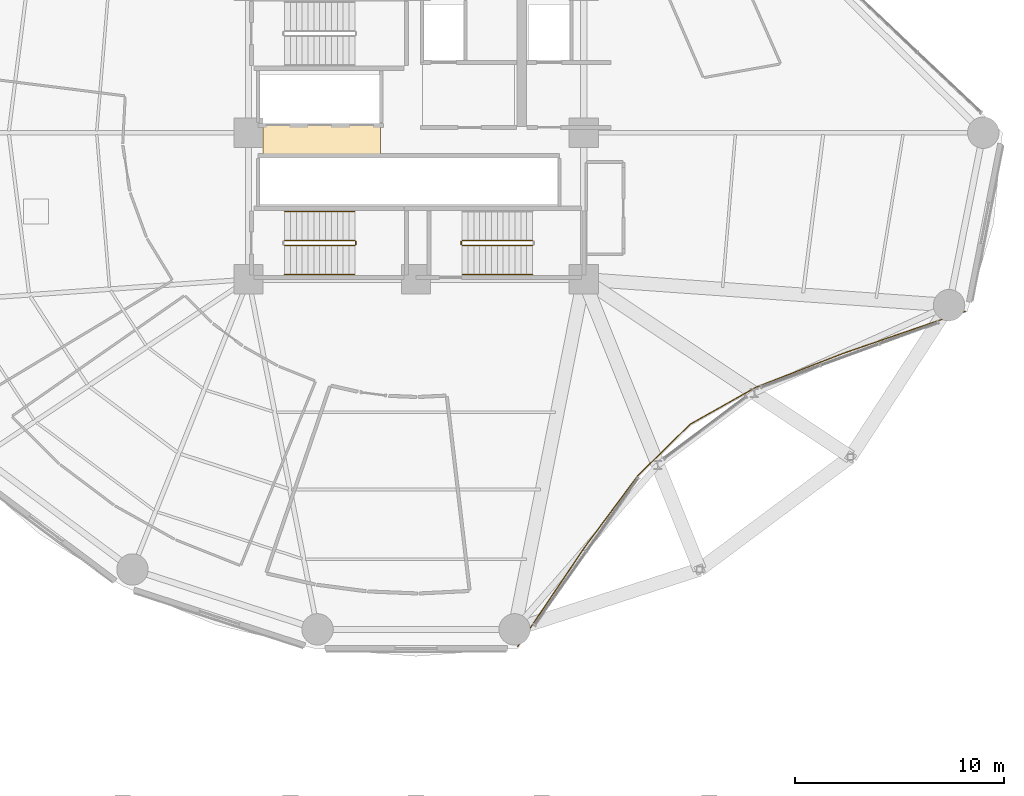
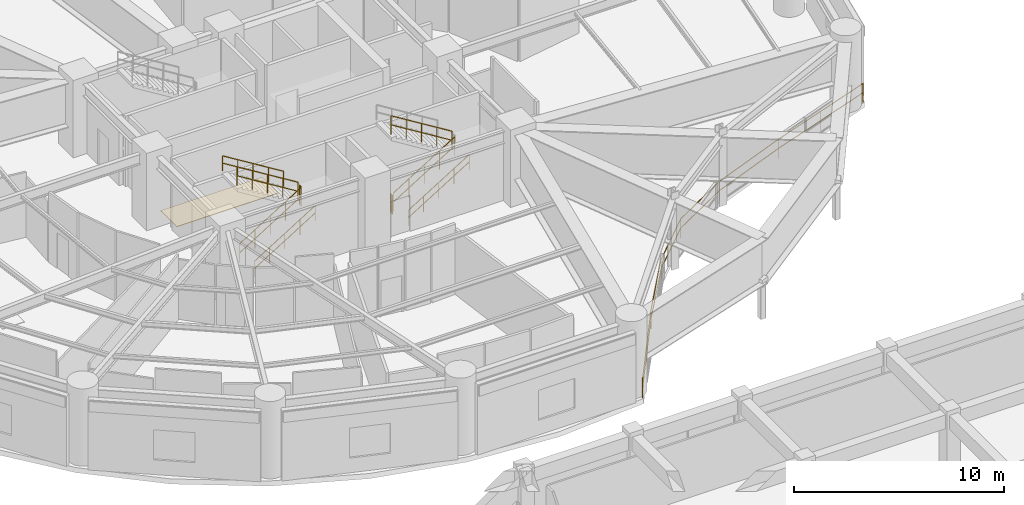
# One storey, part 50 of 53: 10 railings, 1 covering.
"""IFC4 building model written with IfcOpenShell, lengths in metres."""

from ifc_helpers import new_model, si_unit, direction, frame, origin, origin_2d, place, context, subcontext, project, spatial, polyline, rectangle, outline, extrude, source, transform, mapped, material, layer, layer_set, type_object, element, save


model = new_model("IFC4")

# Units and contexts
model_context = context("Model", 3, precision=1e-05, world=origin(), true_north=direction((0.0, 1.0)))
body_context = subcontext(model_context, "Body", "Model", "MODEL_VIEW")
ifc_project = project(units=[si_unit("LENGTHUNIT", "METRE"), si_unit("AREAUNIT", "SQUARE_METRE"), si_unit("VOLUMEUNIT", "CUBIC_METRE"), si_unit("PLANEANGLEUNIT", "RADIAN"), si_unit("MASSUNIT", "GRAM", prefix="KILO")], contexts=[model_context])

# Site, building, storey
site_placement = place(None, origin())
site = spatial("IfcSite", under=ifc_project, at=site_placement, CompositionType="ELEMENT")
building_placement = place(site_placement, origin())
building = spatial("IfcBuilding", under=site, at=building_placement, Name="Kelanora Arch Commons", CompositionType="ELEMENT")
storey_placement = place(building_placement, frame((0.0, 0.0, 9.0)))
storey = spatial("IfcBuildingStorey", under=building, at=storey_placement, Name="L02", CompositionType="ELEMENT", Elevation=9.0)

# Railings
ifc_material_1 = material(Name="Laminated glass and stainless steel balustrade", Category="steel")
railing_type_1 = type_object("IfcRailingType", Name="RAIL-BAL-112", PredefinedType="BALUSTRADE", material=ifc_material_1)
railing_1_placement = place(storey_placement, frame((78.8466796875, 33.458251953125, 0.0)))
element("IfcRailing", 1, at=railing_1_placement, inside=storey, type_object=railing_type_1, Name="Concave Courtyard Overlook Balustrade L02-SE", PredefinedType="BALUSTRADE", context=body_context, shape_type="SweptSolid", body=[
    extrude(outline(polyline([(0.02392578125, 0.0), (0.011962890625, 0.020751953125), (-0.011962890625, 0.020751953125), (-0.02392578125, 0.0), (-0.011962890625, -0.020751953125), (0.011962890625, -0.020751953125), (0.02392578125, 0.0)])), frame((0.0, 0.0, 1.09619140625), z_axis=(0.559131486201, 0.829078995716, 0.0), x_axis=(-0.829078995716, 0.559131486201, 0.0)), (0.0, 0.0, 1.0), 5.749267578125),
    extrude(outline(polyline([(0.02392578125, 0.0), (0.011962890625, 0.020751953125), (-0.011962890625, 0.020751953125), (-0.02392578125, 0.0), (-0.011962890625, -0.020751953125), (0.011962890625, -0.020751953125), (0.02392578125, 0.0)])), frame((0.0, 0.0, 0.56005859375), z_axis=(0.559131486201, 0.829078995716, 0.0), x_axis=(-0.829078995716, 0.559131486201, 0.0)), (0.0, 0.0, 1.0), 5.749267578125),
    extrude(outline(polyline([(0.02392578125, 0.0), (0.011962890625, 0.020751953125), (-0.011962890625, 0.020751953125), (-0.02392578125, 0.0), (-0.011962890625, -0.020751953125), (0.011962890625, -0.020751953125), (0.02392578125, 0.0)])), frame((3.214599609375, 4.7666015625, 1.09619140625), z_axis=(0.596176535715, 0.802853372829, 0.0), x_axis=(-0.802853372829, 0.596176535715, 0.0)), (0.0, 0.0, 1.0), 4.2373046875),
    extrude(outline(polyline([(0.02392578125, 0.0), (0.011962890625, 0.020751953125), (-0.011962890625, 0.020751953125), (-0.02392578125, 0.0), (-0.011962890625, -0.020751953125), (0.011962890625, -0.020751953125), (0.02392578125, 0.0)])), frame((3.214599609375, 4.7666015625, 0.56005859375), z_axis=(0.596176535715, 0.802853372829, 0.0), x_axis=(-0.802853372829, 0.596176535715, 0.0)), (0.0, 0.0, 1.0), 4.2373046875),
    extrude(outline(polyline([(0.02392578125, 0.0), (0.011962890625, 0.020751953125), (-0.011962890625, 0.020751953125), (-0.02392578125, 0.0), (-0.011962890625, -0.020751953125), (0.011962890625, -0.020751953125), (0.02392578125, 0.0)])), frame((5.74072265625, 8.16845703125, 1.09619140625), z_axis=(0.713532255383, 0.700622380836, 0.0), x_axis=(-0.700622380836, 0.713532255383, 0.0)), (0.0, 0.0, 1.0), 3.49853515625),
    extrude(outline(polyline([(0.02392578125, 0.0), (0.011962890625, 0.020751953125), (-0.011962890625, 0.020751953125), (-0.02392578125, 0.0), (-0.011962890625, -0.020751953125), (0.011962890625, -0.020751953125), (0.02392578125, 0.0)])), frame((5.74072265625, 8.16845703125, 0.56005859375), z_axis=(0.713532255383, 0.700622380836, 0.0), x_axis=(-0.700622380836, 0.713532255383, 0.0)), (0.0, 0.0, 1.0), 3.49853515625),
    extrude(outline(polyline([(0.02392578125, 0.0), (0.011962890625, 0.020751953125), (-0.011962890625, 0.020751953125), (-0.02392578125, 0.0), (-0.011962890625, -0.020751953125), (0.011962890625, -0.020751953125), (0.02392578125, 0.0)])), frame((8.237060546875, 10.61962890625, 1.09619140625), z_axis=(0.871394516136, 0.490582915772, 0.0), x_axis=(-0.490582915772, 0.871394516136, 0.0)), (0.0, 0.0, 1.0), 3.60302734375),
    extrude(outline(polyline([(0.02392578125, 0.0), (0.011962890625, 0.020751953125), (-0.011962890625, 0.020751953125), (-0.02392578125, 0.0), (-0.011962890625, -0.020751953125), (0.011962890625, -0.020751953125), (0.02392578125, 0.0)])), frame((8.237060546875, 10.61962890625, 0.56005859375), z_axis=(0.871394516136, 0.490582915772, 0.0), x_axis=(-0.490582915772, 0.871394516136, 0.0)), (0.0, 0.0, 1.0), 3.60302734375),
    extrude(outline(polyline([(0.02392578125, 0.0), (0.011962890625, 0.020751953125), (-0.011962890625, 0.020751953125), (-0.02392578125, 0.0), (-0.011962890625, -0.020751953125), (0.011962890625, -0.020751953125), (0.02392578125, 0.0)])), frame((11.376708984375, 12.38720703125, 1.09619140625), z_axis=(0.932102395452, 0.362194870744, 0.0), x_axis=(-0.362194870744, 0.932102395452, 0.0)), (0.0, 0.0, 1.0), 4.499267578125),
    extrude(outline(polyline([(0.02392578125, 0.0), (0.011962890625, 0.020751953125), (-0.011962890625, 0.020751953125), (-0.02392578125, 0.0), (-0.011962890625, -0.020751953125), (0.011962890625, -0.020751953125), (0.02392578125, 0.0)])), frame((11.376708984375, 12.38720703125, 0.56005859375), z_axis=(0.932102395452, 0.362194870744, 0.0), x_axis=(-0.362194870744, 0.932102395452, 0.0)), (0.0, 0.0, 1.0), 4.499267578125),
    extrude(outline(polyline([(0.02392578125, 0.0), (0.011962890625, 0.020751953125), (-0.011962890625, 0.020751953125), (-0.02392578125, 0.0), (-0.011962890625, -0.020751953125), (0.011962890625, -0.020751953125), (0.02392578125, 0.0)])), frame((15.570556640625, 14.016845703125, 1.09619140625), z_axis=(0.945734245853, 0.324941127315, 0.0), x_axis=(-0.324941127315, 0.945734245853, 0.0)), (0.0, 0.0, 1.0), 6.15185546875),
    extrude(outline(polyline([(0.02392578125, 0.0), (0.011962890625, 0.020751953125), (-0.011962890625, 0.020751953125), (-0.02392578125, 0.0), (-0.011962890625, -0.020751953125), (0.011962890625, -0.020751953125), (0.02392578125, 0.0)])), frame((15.570556640625, 14.016845703125, 0.56005859375), z_axis=(0.945734245853, 0.324941127315, 0.0), x_axis=(-0.324941127315, 0.945734245853, 0.0)), (0.0, 0.0, 1.0), 6.15185546875),
    extrude(outline(polyline([(0.02099609375, 0.0), (0.010498046875, 0.01806640625), (-0.010498046875, 0.01806640625), (-0.02099609375, 0.0), (-0.010498046875, -0.01806640625), (0.010498046875, -0.01806640625), (0.02099609375, 0.0)])), origin(), (0.0, 0.0, 1.0), 1.072021484375),
    extrude(outline(polyline([(0.02099609375, 0.0), (0.010498046875, 0.01806640625), (-0.010498046875, 0.01806640625), (-0.02099609375, 0.0), (-0.010498046875, -0.01806640625), (0.010498046875, -0.01806640625), (0.02099609375, 0.0)])), frame((1.607421875, 2.38330078125, 0.0)), (0.0, 0.0, 1.0), 1.072021484375),
    extrude(outline(polyline([(0.02099609375, 0.0), (0.010498046875, 0.01806640625), (-0.010498046875, 0.01806640625), (-0.02099609375, 0.0), (-0.010498046875, -0.01806640625), (0.010498046875, -0.01806640625), (0.02099609375, 0.0)])), frame((3.214599609375, 4.7666015625, 0.0)), (0.0, 0.0, 1.0), 1.072021484375),
    extrude(outline(polyline([(0.02099609375, 0.0), (0.010498046875, 0.01806640625), (-0.010498046875, 0.01806640625), (-0.02099609375, 0.0), (-0.010498046875, -0.01806640625), (0.010498046875, -0.01806640625), (0.02099609375, 0.0)])), frame((5.74072265625, 8.16845703125, 0.0)), (0.0, 0.0, 1.0), 1.072021484375),
    extrude(outline(polyline([(0.02099609375, 0.0), (0.010498046875, 0.01806640625), (-0.010498046875, 0.01806640625), (-0.02099609375, 0.0), (-0.010498046875, -0.01806640625), (0.010498046875, -0.01806640625), (0.02099609375, 0.0)])), frame((8.237060546875, 10.61962890625, 0.0)), (0.0, 0.0, 1.0), 1.072021484375),
    extrude(outline(polyline([(0.02099609375, 0.0), (0.010498046875, 0.01806640625), (-0.010498046875, 0.01806640625), (-0.02099609375, 0.0), (-0.010498046875, -0.01806640625), (0.010498046875, -0.01806640625), (0.02099609375, 0.0)])), frame((11.376708984375, 12.38720703125, 0.0)), (0.0, 0.0, 1.0), 1.072021484375),
    extrude(outline(polyline([(0.02099609375, 0.0), (0.010498046875, 0.01806640625), (-0.010498046875, 0.01806640625), (-0.02099609375, 0.0), (-0.010498046875, -0.01806640625), (0.010498046875, -0.01806640625), (0.02099609375, 0.0)])), frame((15.570556640625, 14.016845703125, 0.0)), (0.0, 0.0, 1.0), 1.072021484375),
    extrude(outline(polyline([(0.02099609375, 0.0), (0.010498046875, 0.01806640625), (-0.010498046875, 0.01806640625), (-0.02099609375, 0.0), (-0.010498046875, -0.01806640625), (0.010498046875, -0.01806640625), (0.02099609375, 0.0)])), frame((18.4794921875, 15.016357421875, 0.0)), (0.0, 0.0, 1.0), 1.072021484375),
    extrude(outline(polyline([(0.02099609375, 0.0), (0.010498046875, 0.01806640625), (-0.010498046875, 0.01806640625), (-0.02099609375, 0.0), (-0.010498046875, -0.01806640625), (0.010498046875, -0.01806640625), (0.02099609375, 0.0)])), frame((21.388671875, 16.015869140625, 0.0)), (0.0, 0.0, 1.0), 1.072021484375),
])
ifc_material_2 = material(Name="Painted steel stair well guard", Category="steel")
railing_type_2 = type_object("IfcRailingType", Name="RAIL-STAIR-GRD", PredefinedType="GUARDRAIL", material=ifc_material_2)
railing_2_placement = place(storey_placement, frame((76.199951171875, 52.610107421875, 0.173095703125)))
element("IfcRailing", 2, at=railing_2_placement, inside=storey, type_object=railing_type_2, Name="L02 ST-T2 stair guard 1", PredefinedType="GUARDRAIL", context=body_context, shape_type="SweptSolid", body=[
    extrude(outline(polyline([(0.02392578125, 0.0), (0.011962890625, 0.020751953125), (-0.011962890625, 0.020751953125), (-0.02392578125, 0.0), (-0.011962890625, -0.020751953125), (0.011962890625, -0.020751953125), (0.02392578125, 0.0)])), frame((0.0, 0.0, 1.076171875), z_axis=(0.850623216509, 0.0, 0.525775754039), x_axis=(0.0, 1.0, 0.0)), (0.0, 0.0, 1.0), 3.9501953125),
    extrude(outline(polyline([(0.02392578125, 0.0), (0.011962890625, 0.020751953125), (-0.011962890625, 0.020751953125), (-0.02392578125, 0.0), (-0.011962890625, -0.020751953125), (0.011962890625, -0.020751953125), (0.02392578125, 0.0)])), frame((0.0, 0.0, 0.550048828125), z_axis=(0.850623216509, 0.0, 0.525775754039), x_axis=(0.0, 1.0, 0.0)), (0.0, 0.0, 1.0), 3.9501953125),
    extrude(outline(polyline([(0.02099609375, 0.0), (0.010498046875, 0.01806640625), (-0.010498046875, 0.01806640625), (-0.02099609375, 0.0), (-0.010498046875, -0.01806640625), (0.010498046875, -0.01806640625), (0.02099609375, 0.0)])), origin(), (0.0, 0.0, 1.0), 1.052001953125),
    extrude(outline(polyline([(0.02099609375, 0.0), (0.010498046875, 0.01806640625), (-0.010498046875, 0.01806640625), (-0.02099609375, 0.0), (-0.010498046875, -0.01806640625), (0.010498046875, -0.01806640625), (0.02099609375, 0.0)])), frame((0.840087890625, 0.0, 0.519287109375)), (0.0, 0.0, 1.0), 1.052001953125),
    extrude(outline(polyline([(0.02099609375, 0.0), (0.010498046875, 0.01806640625), (-0.010498046875, 0.01806640625), (-0.02099609375, 0.0), (-0.010498046875, -0.01806640625), (0.010498046875, -0.01806640625), (0.02099609375, 0.0)])), frame((1.68017578125, 0.0, 1.03857421875)), (0.0, 0.0, 1.0), 1.052001953125),
    extrude(outline(polyline([(0.02099609375, 0.0), (0.010498046875, 0.01806640625), (-0.010498046875, 0.01806640625), (-0.02099609375, 0.0), (-0.010498046875, -0.01806640625), (0.010498046875, -0.01806640625), (0.02099609375, 0.0)])), frame((2.52001953125, 0.0, 1.5576171875)), (0.0, 0.0, 1.0), 1.052001953125),
    extrude(outline(polyline([(0.02099609375, 0.0), (0.010498046875, 0.01806640625), (-0.010498046875, 0.01806640625), (-0.02099609375, 0.0), (-0.010498046875, -0.01806640625), (0.010498046875, -0.01806640625), (0.02099609375, 0.0)])), frame((3.360107421875, 0.0, 2.076904296875)), (0.0, 0.0, 1.0), 1.052001953125),
])
railing_3_placement = place(storey_placement, frame((79.56005859375, 52.860107421875, 2.423095703125)))
element("IfcRailing", 3, at=railing_3_placement, inside=storey, type_object=railing_type_2, Name="L02 ST-T2 stair guard 3", PredefinedType="GUARDRAIL", context=body_context, shape_type="SweptSolid", body=[
    extrude(outline(polyline([(0.02392578125, 0.0), (0.011962890625, 0.020751953125), (-0.011962890625, 0.020751953125), (-0.02392578125, 0.0), (-0.011962890625, -0.020751953125), (0.011962890625, -0.020751953125), (0.02392578125, 0.0)])), frame((0.0, 0.0, 1.076171875), z_axis=(-0.850623216509, 0.0, 0.525775754039), x_axis=(0.0, -1.0, 0.0)), (0.0, 0.0, 1.0), 3.9501953125),
    extrude(outline(polyline([(0.02392578125, 0.0), (0.011962890625, 0.020751953125), (-0.011962890625, 0.020751953125), (-0.02392578125, 0.0), (-0.011962890625, -0.020751953125), (0.011962890625, -0.020751953125), (0.02392578125, 0.0)])), frame((0.0, 0.0, 0.550048828125), z_axis=(-0.850623216509, 0.0, 0.525775754039), x_axis=(0.0, -1.0, 0.0)), (0.0, 0.0, 1.0), 3.9501953125),
    extrude(outline(polyline([(0.02099609375, 0.0), (0.010498046875, 0.01806640625), (-0.010498046875, 0.01806640625), (-0.02099609375, 0.0), (-0.010498046875, -0.01806640625), (0.010498046875, -0.01806640625), (0.02099609375, 0.0)])), origin(), (0.0, 0.0, 1.0), 1.052001953125),
    extrude(outline(polyline([(0.02099609375, 0.0), (0.010498046875, 0.01806640625), (-0.010498046875, 0.01806640625), (-0.02099609375, 0.0), (-0.010498046875, -0.01806640625), (0.010498046875, -0.01806640625), (0.02099609375, 0.0)])), frame((-0.840087890625, 0.0, 0.519287109375)), (0.0, 0.0, 1.0), 1.052001953125),
    extrude(outline(polyline([(0.02099609375, 0.0), (0.010498046875, 0.01806640625), (-0.010498046875, 0.01806640625), (-0.02099609375, 0.0), (-0.010498046875, -0.01806640625), (0.010498046875, -0.01806640625), (0.02099609375, 0.0)])), frame((-1.68017578125, 0.0, 1.03857421875)), (0.0, 0.0, 1.0), 1.052001953125),
    extrude(outline(polyline([(0.02099609375, 0.0), (0.010498046875, 0.01806640625), (-0.010498046875, 0.01806640625), (-0.02099609375, 0.0), (-0.010498046875, -0.01806640625), (0.010498046875, -0.01806640625), (0.02099609375, 0.0)])), frame((-2.52001953125, 0.0, 1.5576171875)), (0.0, 0.0, 1.0), 1.052001953125),
    extrude(outline(polyline([(0.02099609375, 0.0), (0.010498046875, 0.01806640625), (-0.010498046875, 0.01806640625), (-0.02099609375, 0.0), (-0.010498046875, -0.01806640625), (0.010498046875, -0.01806640625), (0.02099609375, 0.0)])), frame((-3.360107421875, 0.0, 2.076904296875)), (0.0, 0.0, 1.0), 1.052001953125),
])
railing_4_placement = place(storey_placement, frame((76.14990234375, 52.659912109375, 0.0)))
element("IfcRailing", 4, at=railing_4_placement, inside=storey, type_object=railing_type_2, Name="L02 ST-T2 stair guard 4", PredefinedType="GUARDRAIL", context=body_context, shape_type="SweptSolid", body=[
    extrude(outline(polyline([(0.02392578125, 0.0), (0.011962890625, 0.020751953125), (-0.011962890625, 0.020751953125), (-0.02392578125, 0.0), (-0.011962890625, -0.020751953125), (0.011962890625, -0.020751953125), (0.02392578125, 0.0)])), frame((0.0, 0.0, 1.076171875), z_axis=(0.0, 1.0, 0.0), x_axis=(-1.0, 0.0, 0.0)), (0.0, 0.0, 1.0), 0.150146484375),
    extrude(outline(polyline([(0.02392578125, 0.0), (0.011962890625, 0.020751953125), (-0.011962890625, 0.020751953125), (-0.02392578125, 0.0), (-0.011962890625, -0.020751953125), (0.011962890625, -0.020751953125), (0.02392578125, 0.0)])), frame((0.0, 0.0, 0.550048828125), z_axis=(0.0, 1.0, 0.0), x_axis=(-1.0, 0.0, 0.0)), (0.0, 0.0, 1.0), 0.150146484375),
    extrude(outline(polyline([(0.02099609375, 0.0), (0.010498046875, 0.01806640625), (-0.010498046875, 0.01806640625), (-0.02099609375, 0.0), (-0.010498046875, -0.01806640625), (0.010498046875, -0.01806640625), (0.02099609375, 0.0)])), origin(), (0.0, 0.0, 1.0), 1.052001953125),
    extrude(outline(polyline([(0.02099609375, 0.0), (0.010498046875, 0.01806640625), (-0.010498046875, 0.01806640625), (-0.02099609375, 0.0), (-0.010498046875, -0.01806640625), (0.010498046875, -0.01806640625), (0.02099609375, 0.0)])), frame((0.0, 0.150146484375, 0.0)), (0.0, 0.0, 1.0), 1.052001953125),
])
railing_5_placement = place(storey_placement, frame((67.719970703125, 52.610107421875, 0.173095703125)))
element("IfcRailing", 5, at=railing_5_placement, inside=storey, type_object=railing_type_2, Name="L02 ST-T3 stair guard 1", PredefinedType="GUARDRAIL", context=body_context, shape_type="SweptSolid", body=[
    extrude(outline(polyline([(0.02392578125, 0.0), (0.011962890625, 0.020751953125), (-0.011962890625, 0.020751953125), (-0.02392578125, 0.0), (-0.011962890625, -0.020751953125), (0.011962890625, -0.020751953125), (0.02392578125, 0.0)])), frame((0.0, 0.0, 1.076171875), z_axis=(0.850623216509, 0.0, 0.525775754039), x_axis=(0.0, 1.0, 0.0)), (0.0, 0.0, 1.0), 3.9501953125),
    extrude(outline(polyline([(0.02392578125, 0.0), (0.011962890625, 0.020751953125), (-0.011962890625, 0.020751953125), (-0.02392578125, 0.0), (-0.011962890625, -0.020751953125), (0.011962890625, -0.020751953125), (0.02392578125, 0.0)])), frame((0.0, 0.0, 0.550048828125), z_axis=(0.850623216509, 0.0, 0.525775754039), x_axis=(0.0, 1.0, 0.0)), (0.0, 0.0, 1.0), 3.9501953125),
    extrude(outline(polyline([(0.02099609375, 0.0), (0.010498046875, 0.01806640625), (-0.010498046875, 0.01806640625), (-0.02099609375, 0.0), (-0.010498046875, -0.01806640625), (0.010498046875, -0.01806640625), (0.02099609375, 0.0)])), origin(), (0.0, 0.0, 1.0), 1.052001953125),
    extrude(outline(polyline([(0.02099609375, 0.0), (0.010498046875, 0.01806640625), (-0.010498046875, 0.01806640625), (-0.02099609375, 0.0), (-0.010498046875, -0.01806640625), (0.010498046875, -0.01806640625), (0.02099609375, 0.0)])), frame((0.840087890625, 0.0, 0.519287109375)), (0.0, 0.0, 1.0), 1.052001953125),
    extrude(outline(polyline([(0.02099609375, 0.0), (0.010498046875, 0.01806640625), (-0.010498046875, 0.01806640625), (-0.02099609375, 0.0), (-0.010498046875, -0.01806640625), (0.010498046875, -0.01806640625), (0.02099609375, 0.0)])), frame((1.68017578125, 0.0, 1.03857421875)), (0.0, 0.0, 1.0), 1.052001953125),
    extrude(outline(polyline([(0.02099609375, 0.0), (0.010498046875, 0.01806640625), (-0.010498046875, 0.01806640625), (-0.02099609375, 0.0), (-0.010498046875, -0.01806640625), (0.010498046875, -0.01806640625), (0.02099609375, 0.0)])), frame((2.52001953125, 0.0, 1.5576171875)), (0.0, 0.0, 1.0), 1.052001953125),
    extrude(outline(polyline([(0.02099609375, 0.0), (0.010498046875, 0.01806640625), (-0.010498046875, 0.01806640625), (-0.02099609375, 0.0), (-0.010498046875, -0.01806640625), (0.010498046875, -0.01806640625), (0.02099609375, 0.0)])), frame((3.360107421875, 0.0, 2.076904296875)), (0.0, 0.0, 1.0), 1.052001953125),
])
railing_6_placement = place(storey_placement, frame((71.1298828125, 52.659912109375, 2.25)))
element("IfcRailing", 6, at=railing_6_placement, inside=storey, type_object=railing_type_2, Name="L02 ST-T3 stair guard 2", PredefinedType="GUARDRAIL", context=body_context, shape_type="SweptSolid", body=[
    extrude(outline(polyline([(0.02392578125, 0.0), (0.011962890625, 0.020751953125), (-0.011962890625, 0.020751953125), (-0.02392578125, 0.0), (-0.011962890625, -0.020751953125), (0.011962890625, -0.020751953125), (0.02392578125, 0.0)])), frame((0.0, 0.0, 1.076171875), z_axis=(0.0, 1.0, 0.0), x_axis=(-1.0, 0.0, 0.0)), (0.0, 0.0, 1.0), 0.150146484375),
    extrude(outline(polyline([(0.02392578125, 0.0), (0.011962890625, 0.020751953125), (-0.011962890625, 0.020751953125), (-0.02392578125, 0.0), (-0.011962890625, -0.020751953125), (0.011962890625, -0.020751953125), (0.02392578125, 0.0)])), frame((0.0, 0.0, 0.550048828125), z_axis=(0.0, 1.0, 0.0), x_axis=(-1.0, 0.0, 0.0)), (0.0, 0.0, 1.0), 0.150146484375),
    extrude(outline(polyline([(0.02099609375, 0.0), (0.010498046875, 0.01806640625), (-0.010498046875, 0.01806640625), (-0.02099609375, 0.0), (-0.010498046875, -0.01806640625), (0.010498046875, -0.01806640625), (0.02099609375, 0.0)])), origin(), (0.0, 0.0, 1.0), 1.052001953125),
    extrude(outline(polyline([(0.02099609375, 0.0), (0.010498046875, 0.01806640625), (-0.010498046875, 0.01806640625), (-0.02099609375, 0.0), (-0.010498046875, -0.01806640625), (0.010498046875, -0.01806640625), (0.02099609375, 0.0)])), frame((0.0, 0.150146484375, 0.0)), (0.0, 0.0, 1.0), 1.052001953125),
])
railing_7_placement = place(storey_placement, frame((71.080078125, 52.860107421875, 2.423095703125)))
element("IfcRailing", 7, at=railing_7_placement, inside=storey, type_object=railing_type_2, Name="L02 ST-T3 stair guard 3", PredefinedType="GUARDRAIL", context=body_context, shape_type="SweptSolid", body=[
    extrude(outline(polyline([(0.02392578125, 0.0), (0.011962890625, 0.020751953125), (-0.011962890625, 0.020751953125), (-0.02392578125, 0.0), (-0.011962890625, -0.020751953125), (0.011962890625, -0.020751953125), (0.02392578125, 0.0)])), frame((0.0, 0.0, 1.076171875), z_axis=(-0.850623216509, 0.0, 0.525775754039), x_axis=(0.0, -1.0, 0.0)), (0.0, 0.0, 1.0), 3.9501953125),
    extrude(outline(polyline([(0.02392578125, 0.0), (0.011962890625, 0.020751953125), (-0.011962890625, 0.020751953125), (-0.02392578125, 0.0), (-0.011962890625, -0.020751953125), (0.011962890625, -0.020751953125), (0.02392578125, 0.0)])), frame((0.0, 0.0, 0.550048828125), z_axis=(-0.850623216509, 0.0, 0.525775754039), x_axis=(0.0, -1.0, 0.0)), (0.0, 0.0, 1.0), 3.9501953125),
    extrude(outline(polyline([(0.02099609375, 0.0), (0.010498046875, 0.01806640625), (-0.010498046875, 0.01806640625), (-0.02099609375, 0.0), (-0.010498046875, -0.01806640625), (0.010498046875, -0.01806640625), (0.02099609375, 0.0)])), origin(), (0.0, 0.0, 1.0), 1.052001953125),
    extrude(outline(polyline([(0.02099609375, 0.0), (0.010498046875, 0.01806640625), (-0.010498046875, 0.01806640625), (-0.02099609375, 0.0), (-0.010498046875, -0.01806640625), (0.010498046875, -0.01806640625), (0.02099609375, 0.0)])), frame((-0.840087890625, 0.0, 0.519287109375)), (0.0, 0.0, 1.0), 1.052001953125),
    extrude(outline(polyline([(0.02099609375, 0.0), (0.010498046875, 0.01806640625), (-0.010498046875, 0.01806640625), (-0.02099609375, 0.0), (-0.010498046875, -0.01806640625), (0.010498046875, -0.01806640625), (0.02099609375, 0.0)])), frame((-1.68017578125, 0.0, 1.03857421875)), (0.0, 0.0, 1.0), 1.052001953125),
    extrude(outline(polyline([(0.02099609375, 0.0), (0.010498046875, 0.01806640625), (-0.010498046875, 0.01806640625), (-0.02099609375, 0.0), (-0.010498046875, -0.01806640625), (0.010498046875, -0.01806640625), (0.02099609375, 0.0)])), frame((-2.52001953125, 0.0, 1.5576171875)), (0.0, 0.0, 1.0), 1.052001953125),
    extrude(outline(polyline([(0.02099609375, 0.0), (0.010498046875, 0.01806640625), (-0.010498046875, 0.01806640625), (-0.02099609375, 0.0), (-0.010498046875, -0.01806640625), (0.010498046875, -0.01806640625), (0.02099609375, 0.0)])), frame((-3.360107421875, 0.0, 2.076904296875)), (0.0, 0.0, 1.0), 1.052001953125),
])
ifc_material_3 = material(Name="Brushed stainless steel stair handrail", Category="steel")
railing_type_3 = type_object("IfcRailingType", Name="RAIL-STAIR-HND", PredefinedType="HANDRAIL", material=ifc_material_3)
railing_8_placement = place(storey_placement, frame((76.199951171875, 51.22998046875, 0.173095703125)))
element("IfcRailing", 8, at=railing_8_placement, inside=storey, type_object=railing_type_3, Name="L02 ST-T2 stair handrail 1", PredefinedType="HANDRAIL", context=body_context, shape_type="SweptSolid", body=[
    extrude(outline(polyline([(0.02392578125, 0.0), (0.011962890625, 0.020751953125), (-0.011962890625, 0.020751953125), (-0.02392578125, 0.0), (-0.011962890625, -0.020751953125), (0.011962890625, -0.020751953125), (0.02392578125, 0.0)])), frame((0.0, 0.0, 0.8759765625), z_axis=(0.850623216509, 0.0, 0.525775754039), x_axis=(0.0, 1.0, 0.0)), (0.0, 0.0, 1.0), 3.9501953125),
    extrude(outline(polyline([(0.02392578125, 0.0), (0.011962890625, 0.020751953125), (-0.011962890625, 0.020751953125), (-0.02392578125, 0.0), (-0.011962890625, -0.020751953125), (0.011962890625, -0.020751953125), (0.02392578125, 0.0)])), frame((0.0, 0.0, 0.449951171875), z_axis=(0.850623216509, 0.0, 0.525775754039), x_axis=(0.0, 1.0, 0.0)), (0.0, 0.0, 1.0), 3.9501953125),
    extrude(outline(polyline([(0.02099609375, 0.0), (0.010498046875, 0.01806640625), (-0.010498046875, 0.01806640625), (-0.02099609375, 0.0), (-0.010498046875, -0.01806640625), (0.010498046875, -0.01806640625), (0.02099609375, 0.0)])), origin(), (0.0, 0.0, 1.0), 0.851806640625),
    extrude(outline(polyline([(0.02099609375, 0.0), (0.010498046875, 0.01806640625), (-0.010498046875, 0.01806640625), (-0.02099609375, 0.0), (-0.010498046875, -0.01806640625), (0.010498046875, -0.01806640625), (0.02099609375, 0.0)])), frame((0.840087890625, 0.0, 0.519287109375)), (0.0, 0.0, 1.0), 0.851806640625),
    extrude(outline(polyline([(0.02099609375, 0.0), (0.010498046875, 0.01806640625), (-0.010498046875, 0.01806640625), (-0.02099609375, 0.0), (-0.010498046875, -0.01806640625), (0.010498046875, -0.01806640625), (0.02099609375, 0.0)])), frame((1.68017578125, 0.0, 1.03857421875)), (0.0, 0.0, 1.0), 0.851806640625),
    extrude(outline(polyline([(0.02099609375, 0.0), (0.010498046875, 0.01806640625), (-0.010498046875, 0.01806640625), (-0.02099609375, 0.0), (-0.010498046875, -0.01806640625), (0.010498046875, -0.01806640625), (0.02099609375, 0.0)])), frame((2.52001953125, 0.0, 1.5576171875)), (0.0, 0.0, 1.0), 0.851806640625),
    extrude(outline(polyline([(0.02099609375, 0.0), (0.010498046875, 0.01806640625), (-0.010498046875, 0.01806640625), (-0.02099609375, 0.0), (-0.010498046875, -0.01806640625), (0.010498046875, -0.01806640625), (0.02099609375, 0.0)])), frame((3.360107421875, 0.0, 2.076904296875)), (0.0, 0.0, 1.0), 0.851806640625),
])
railing_9_placement = place(storey_placement, frame((67.719970703125, 51.22998046875, 0.173095703125)))
element("IfcRailing", 9, at=railing_9_placement, inside=storey, type_object=railing_type_3, Name="L02 ST-T3 stair handrail 1", PredefinedType="HANDRAIL", context=body_context, shape_type="SweptSolid", body=[
    extrude(outline(polyline([(0.02392578125, 0.0), (0.011962890625, 0.020751953125), (-0.011962890625, 0.020751953125), (-0.02392578125, 0.0), (-0.011962890625, -0.020751953125), (0.011962890625, -0.020751953125), (0.02392578125, 0.0)])), frame((0.0, 0.0, 0.8759765625), z_axis=(0.850623216509, 0.0, 0.525775754039), x_axis=(0.0, 1.0, 0.0)), (0.0, 0.0, 1.0), 3.9501953125),
    extrude(outline(polyline([(0.02392578125, 0.0), (0.011962890625, 0.020751953125), (-0.011962890625, 0.020751953125), (-0.02392578125, 0.0), (-0.011962890625, -0.020751953125), (0.011962890625, -0.020751953125), (0.02392578125, 0.0)])), frame((0.0, 0.0, 0.449951171875), z_axis=(0.850623216509, 0.0, 0.525775754039), x_axis=(0.0, 1.0, 0.0)), (0.0, 0.0, 1.0), 3.9501953125),
    extrude(outline(polyline([(0.02099609375, 0.0), (0.010498046875, 0.01806640625), (-0.010498046875, 0.01806640625), (-0.02099609375, 0.0), (-0.010498046875, -0.01806640625), (0.010498046875, -0.01806640625), (0.02099609375, 0.0)])), origin(), (0.0, 0.0, 1.0), 0.851806640625),
    extrude(outline(polyline([(0.02099609375, 0.0), (0.010498046875, 0.01806640625), (-0.010498046875, 0.01806640625), (-0.02099609375, 0.0), (-0.010498046875, -0.01806640625), (0.010498046875, -0.01806640625), (0.02099609375, 0.0)])), frame((0.840087890625, 0.0, 0.519287109375)), (0.0, 0.0, 1.0), 0.851806640625),
    extrude(outline(polyline([(0.02099609375, 0.0), (0.010498046875, 0.01806640625), (-0.010498046875, 0.01806640625), (-0.02099609375, 0.0), (-0.010498046875, -0.01806640625), (0.010498046875, -0.01806640625), (0.02099609375, 0.0)])), frame((1.68017578125, 0.0, 1.03857421875)), (0.0, 0.0, 1.0), 0.851806640625),
    extrude(outline(polyline([(0.02099609375, 0.0), (0.010498046875, 0.01806640625), (-0.010498046875, 0.01806640625), (-0.02099609375, 0.0), (-0.010498046875, -0.01806640625), (0.010498046875, -0.01806640625), (0.02099609375, 0.0)])), frame((2.52001953125, 0.0, 1.5576171875)), (0.0, 0.0, 1.0), 0.851806640625),
    extrude(outline(polyline([(0.02099609375, 0.0), (0.010498046875, 0.01806640625), (-0.010498046875, 0.01806640625), (-0.02099609375, 0.0), (-0.010498046875, -0.01806640625), (0.010498046875, -0.01806640625), (0.02099609375, 0.0)])), frame((3.360107421875, 0.0, 2.076904296875)), (0.0, 0.0, 1.0), 0.851806640625),
])
railing_10_placement = place(storey_placement, frame((71.080078125, 54.239990234375, 2.423095703125)))
element("IfcRailing", 10, at=railing_10_placement, inside=storey, type_object=railing_type_3, Name="L02 ST-T3 stair handrail 2", PredefinedType="HANDRAIL", context=body_context, shape_type="SweptSolid", body=[
    extrude(outline(polyline([(0.02392578125, 0.0), (0.011962890625, 0.020751953125), (-0.011962890625, 0.020751953125), (-0.02392578125, 0.0), (-0.011962890625, -0.020751953125), (0.011962890625, -0.020751953125), (0.02392578125, 0.0)])), frame((0.0, 0.0, 0.8759765625), z_axis=(-0.850623216509, 0.0, 0.525775754039), x_axis=(0.0, -1.0, 0.0)), (0.0, 0.0, 1.0), 3.9501953125),
    extrude(outline(polyline([(0.02392578125, 0.0), (0.011962890625, 0.020751953125), (-0.011962890625, 0.020751953125), (-0.02392578125, 0.0), (-0.011962890625, -0.020751953125), (0.011962890625, -0.020751953125), (0.02392578125, 0.0)])), frame((0.0, 0.0, 0.449951171875), z_axis=(-0.850623216509, 0.0, 0.525775754039), x_axis=(0.0, -1.0, 0.0)), (0.0, 0.0, 1.0), 3.9501953125),
    extrude(outline(polyline([(0.02099609375, 0.0), (0.010498046875, 0.01806640625), (-0.010498046875, 0.01806640625), (-0.02099609375, 0.0), (-0.010498046875, -0.01806640625), (0.010498046875, -0.01806640625), (0.02099609375, 0.0)])), origin(), (0.0, 0.0, 1.0), 0.851806640625),
    extrude(outline(polyline([(0.02099609375, 0.0), (0.010498046875, 0.01806640625), (-0.010498046875, 0.01806640625), (-0.02099609375, 0.0), (-0.010498046875, -0.01806640625), (0.010498046875, -0.01806640625), (0.02099609375, 0.0)])), frame((-0.840087890625, 0.0, 0.519287109375)), (0.0, 0.0, 1.0), 0.851806640625),
    extrude(outline(polyline([(0.02099609375, 0.0), (0.010498046875, 0.01806640625), (-0.010498046875, 0.01806640625), (-0.02099609375, 0.0), (-0.010498046875, -0.01806640625), (0.010498046875, -0.01806640625), (0.02099609375, 0.0)])), frame((-1.68017578125, 0.0, 1.03857421875)), (0.0, 0.0, 1.0), 0.851806640625),
    extrude(outline(polyline([(0.02099609375, 0.0), (0.010498046875, 0.01806640625), (-0.010498046875, 0.01806640625), (-0.02099609375, 0.0), (-0.010498046875, -0.01806640625), (0.010498046875, -0.01806640625), (0.02099609375, 0.0)])), frame((-2.52001953125, 0.0, 1.5576171875)), (0.0, 0.0, 1.0), 0.851806640625),
    extrude(outline(polyline([(0.02099609375, 0.0), (0.010498046875, 0.01806640625), (-0.010498046875, 0.01806640625), (-0.02099609375, 0.0), (-0.010498046875, -0.01806640625), (0.010498046875, -0.01806640625), (0.02099609375, 0.0)])), frame((-3.360107421875, 0.0, 2.076904296875)), (0.0, 0.0, 1.0), 0.851806640625),
])

# Covering
ifc_material_4 = material(Name="Polished local granite terrazzo flooring", Category="masonry")
ifc_layer = layer(ifc_material_4, 0.030029296875)
ifc_layer_set = layer_set([ifc_layer], Name="Polished local granite terrazzo flooring")
covering_type = type_object("IfcCoveringType", Name="COV-FLR-TER", PredefinedType="FLOORING", material=ifc_layer_set)
shared_shape = source(origin(), body_context, "Body", "SweptSolid", [
    extrude(rectangle(XDim=5.60009765625, YDim=1.5400390625, at=origin_2d()), origin(), (0.0, 0.0, 1.0), 0.030029296875),
])
covering_placement = place(storey_placement, frame((69.5, 57.6201171875, 0.0), z_axis=(0.0, 0.0, 1.0), x_axis=(1.0, 0.0, 0.0)))
element("IfcCovering", 11, at=covering_placement, inside=storey, type_object=covering_type, Name="Lift Lobby Terrazzo Flooring L02", PredefinedType="FLOORING", context=body_context, shape_type="MappedRepresentation", body=[
    mapped(shared_shape, transform((0.0, 0.0, 0.0), scale=1.0)),
])

save(model, "model.ifc")
